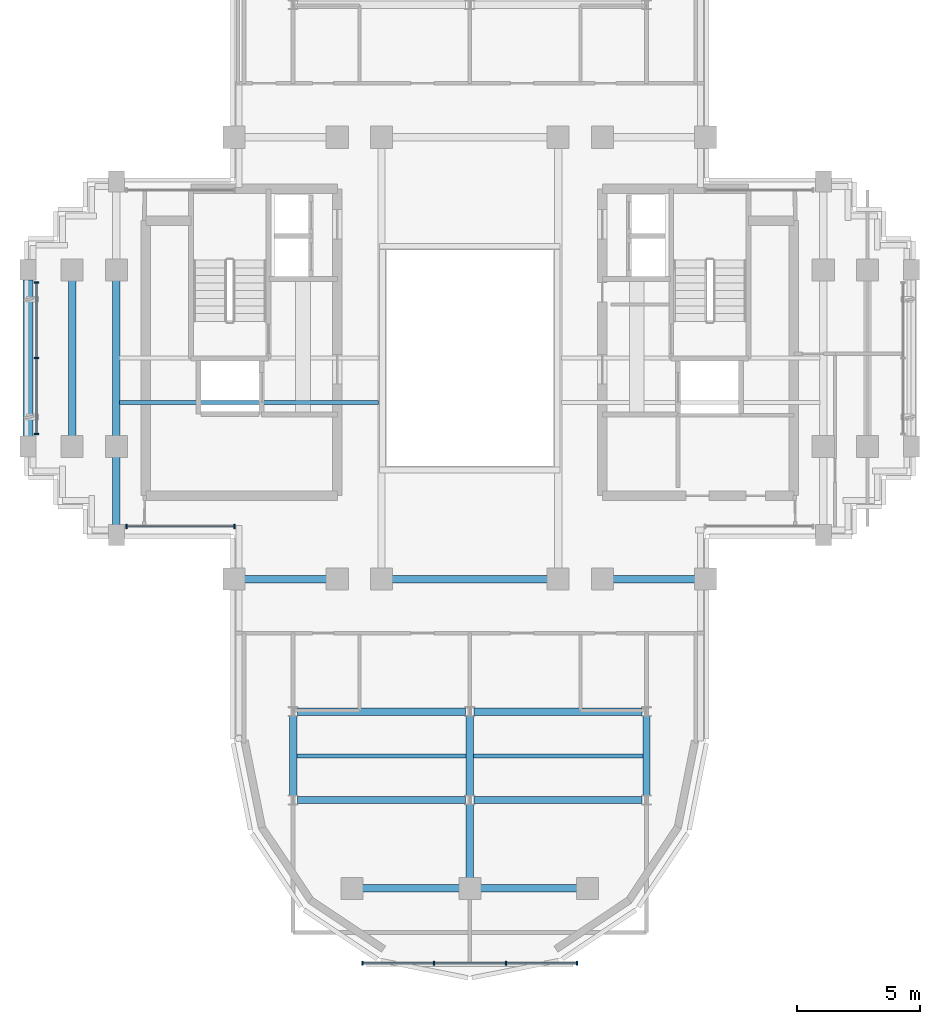
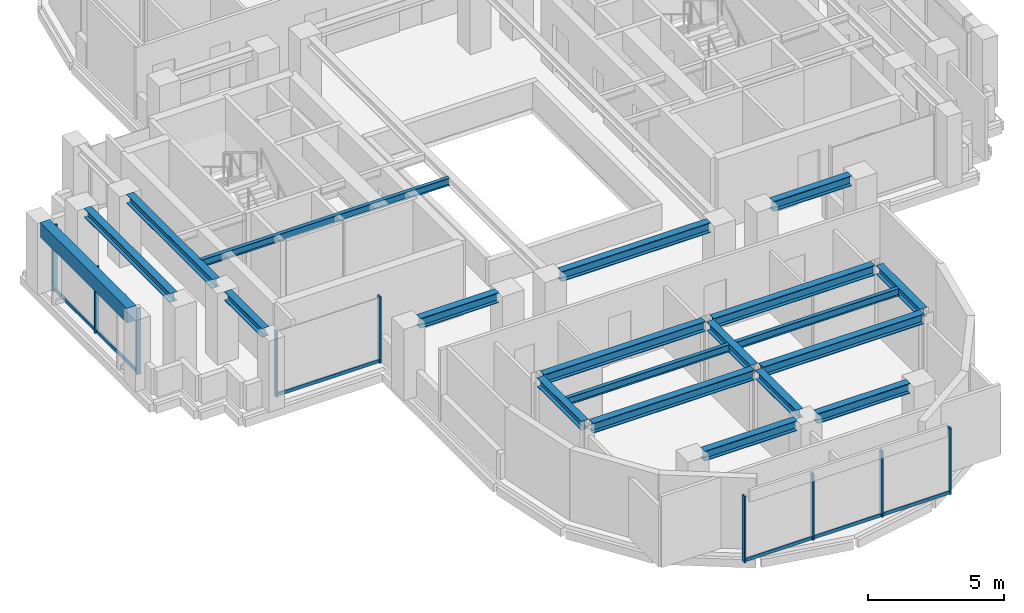
# One storey, part 2 of 11: 20 beams, 15 members, 3 elements without a shape of their own.
"""IFC4 building model written with IfcOpenShell, lengths in metres."""

from ifc_helpers import new_model, si_unit, direction, frame, origin, origin_2d, place, context, subcontext, project, spatial, rectangle, i_section, extrude, source, transform, mapped, material, material_profile, profile_set, type_object, element, aggregate, save


model = new_model("IFC4")

# Units and contexts
model_context = context("Model", 3, precision=1e-05, world=origin(), true_north=direction((0.0, 1.0)))
body_context = subcontext(model_context, "Body", "Model", "MODEL_VIEW")
ifc_project = project(units=[si_unit("LENGTHUNIT", "METRE"), si_unit("AREAUNIT", "SQUARE_METRE"), si_unit("VOLUMEUNIT", "CUBIC_METRE"), si_unit("PLANEANGLEUNIT", "RADIAN"), si_unit("MASSUNIT", "GRAM", prefix="KILO")], contexts=[model_context])

# Site, building, storey
site_placement = place(None, origin())
site = spatial("IfcSite", under=ifc_project, at=site_placement, CompositionType="ELEMENT")
building_placement = place(site_placement, origin())
building = spatial("IfcBuilding", under=site, at=building_placement, Name="Keilestroom Media Tower", CompositionType="ELEMENT")
storey_placement = place(building_placement, frame((0.0, 0.0, 197.800048828125)))
storey = spatial("IfcBuildingStorey", under=building, at=storey_placement, Name="L54", CompositionType="ELEMENT", Elevation=197.800048828125)

# Beams
ifc_material_1 = material(Name="Steel S355", Category="steel")
ifc_material_profile_1 = material_profile(ifc_material_1, i_section(OverallWidth=0.300048828125, OverallDepth=0.449951171875, WebThickness=0.011962890625, FlangeThickness=0.02587890625, at=origin_2d()), Name="HEB 450")
ifc_profile_set_1 = profile_set([ifc_material_profile_1], Name="Steel S355")
beam_type_1 = type_object("IfcBeamType", Name="Primary-Structural-Girder-HEB-450", PredefinedType="BEAM", material=ifc_profile_set_1)
shared_shape_1 = source(origin(), body_context, "Body", "SweptSolid", [
    extrude(i_section(OverallWidth=0.300048828125, OverallDepth=0.449951171875, WebThickness=0.011962890625, FlangeThickness=0.02587890625, at=origin_2d()), origin(), (0.0, 0.0, 1.0), 3.940185546875),
])
for number, where, z_axis, x_axis, name in (
    (1, (-4.3701171875, -21.60009765625, 2.974853515625), (1.0, 0.0, 0.0), (0.0, 1.0, 0.0), "L54 Beam BG-7 BM-L54-EW-001"),
    (2, (0.429931640625, -21.60009765625, 2.974853515625), (1.0, 0.0, 0.0), (0.0, 1.0, 0.0), "L54 Beam BG-7 BM-L54-EW-002"),
):
    element("IfcBeam", number, at=place(storey_placement, frame(where, z_axis=z_axis, x_axis=x_axis)), inside=storey, type_object=beam_type_1, Name=name, PredefinedType="BEAM", context=body_context, shape_type="MappedRepresentation", body=[
        mapped(shared_shape_1, transform((0.0, 0.0, 0.0), x_axis=(1.0, 0.0, 0.0), y_axis=(0.0, 1.0, 0.0), z_axis=(0.0, 0.0, 1.0), scale=1.0)),
    ])
shared_shape_2 = source(origin(), body_context, "Body", "SweptSolid", [
    extrude(i_section(OverallWidth=0.300048828125, OverallDepth=0.449951171875, WebThickness=0.011962890625, FlangeThickness=0.02587890625, at=origin_2d()), origin(), (0.0, 0.0, 1.0), 6.842041015625),
])
for number, where, z_axis, x_axis, name in (
    (3, (-7.02099609375, -18.0, 2.974853515625), (1.0, 0.0, 0.0), (0.0, 1.0, 0.0), "L54 Beam BG-7 BM-L54-EW-003"),
    (4, (0.178955078125, -18.0, 2.974853515625), (1.0, 0.0, 0.0), (0.0, 1.0, 0.0), "L54 Beam BG-7 BM-L54-EW-004"),
    (5, (-7.02099609375, -14.39990234375, 2.974853515625), (1.0, 0.0, 0.0), (0.0, 1.0, 0.0), "L54 Beam BG-7 BM-L54-EW-005"),
    (6, (0.178955078125, -14.39990234375, 2.974853515625), (1.0, 0.0, 0.0), (0.0, 1.0, 0.0), "L54 Beam BG-7 BM-L54-EW-006"),
):
    element("IfcBeam", number, at=place(storey_placement, frame(where, z_axis=z_axis, x_axis=x_axis)), inside=storey, type_object=beam_type_1, Name=name, PredefinedType="BEAM", context=body_context, shape_type="MappedRepresentation", body=[
        mapped(shared_shape_2, transform((0.0, 0.0, 0.0), x_axis=(1.0, 0.0, 0.0), y_axis=(0.0, 1.0, 0.0), z_axis=(0.0, 0.0, 1.0), scale=1.0)),
    ])
shared_shape_3 = source(origin(), body_context, "Body", "SweptSolid", [
    extrude(i_section(OverallWidth=0.300048828125, OverallDepth=0.449951171875, WebThickness=0.011962890625, FlangeThickness=0.02587890625, at=origin_2d()), origin(), (0.0, 0.0, 1.0), 3.33984375),
])
for number, where, z_axis, x_axis, name in (
    (7, (-9.169921875, -9.0, 2.974853515625), (1.0, 0.0, 0.0), (0.0, 1.0, 0.0), "L54 Beam BG-7 BM-L54-EW-007"),
    (8, (5.830078125, -9.0, 2.974853515625), (1.0, 0.0, 0.0), (0.0, 1.0, 0.0), "L54 Beam BG-7 BM-L54-EW-011"),
):
    element("IfcBeam", number, at=place(storey_placement, frame(where, z_axis=z_axis, x_axis=x_axis)), inside=storey, type_object=beam_type_1, Name=name, PredefinedType="BEAM", context=body_context, shape_type="MappedRepresentation", body=[
        mapped(shared_shape_3, transform((0.0, 0.0, 0.0), x_axis=(1.0, 0.0, 0.0), y_axis=(0.0, 1.0, 0.0), z_axis=(0.0, 0.0, 1.0), scale=1.0)),
    ])
shared_shape_4 = source(origin(), body_context, "Body", "SweptSolid", [
    extrude(i_section(OverallWidth=0.300048828125, OverallDepth=0.449951171875, WebThickness=0.011962890625, FlangeThickness=0.02587890625, at=origin_2d()), origin(), (0.0, 0.0, 1.0), 6.33984375),
])
beam_1_placement = place(storey_placement, frame((-3.169921875, -9.0, 2.974853515625), z_axis=(1.0, 0.0, 0.0), x_axis=(0.0, 1.0, 0.0)))
element("IfcBeam", 9, at=beam_1_placement, inside=storey, type_object=beam_type_1, Name="L54 Beam BG-7 BM-L54-EW-009", PredefinedType="BEAM", context=body_context, shape_type="MappedRepresentation", body=[
    mapped(shared_shape_4, transform((0.0, 0.0, 0.0), x_axis=(1.0, 0.0, 0.0), y_axis=(0.0, 1.0, 0.0), z_axis=(0.0, 0.0, 1.0), scale=1.0)),
])
ifc_material_2 = material(Name="Precast concrete C40/50", Category="concrete")
ifc_material_profile_2 = material_profile(ifc_material_2, rectangle(XDim=0.39990234375, YDim=0.64990234375, at=origin_2d()), Name="PC 400x650")
ifc_profile_set_2 = profile_set([ifc_material_profile_2], Name="Precast concrete C40/50")
beam_type_2 = type_object("IfcBeamType", Name="Perimeter-Spandrel-Beam-PC-400x650", PredefinedType="SPANDREL", material=ifc_profile_set_2)
shared_shape_5 = source(origin(), body_context, "Body", "SweptSolid", [
    extrude(rectangle(XDim=0.39990234375, YDim=0.64990234375, at=origin_2d()), origin(), (0.0, 0.0, 1.0), 6.39013671875),
])
beam_2_placement = place(storey_placement, frame((-18.0, -3.195068359375, 2.875), z_axis=(0.0, 1.0, 0.0), x_axis=(-1.0, 0.0, 0.0)))
element("IfcBeam", 10, at=beam_2_placement, inside=storey, type_object=beam_type_2, Name="L54 Beam SPB-2 BM-L54-NS-031", PredefinedType="SPANDREL", context=body_context, shape_type="MappedRepresentation", body=[
    mapped(shared_shape_5, transform((0.0, 0.0, 0.0), x_axis=(1.0, 0.0, 0.0), y_axis=(0.0, 1.0, 0.0), z_axis=(0.0, 0.0, 1.0), scale=1.0)),
])
ifc_material_profile_3 = material_profile(ifc_material_1, i_section(OverallWidth=0.300048828125, OverallDepth=0.39990234375, WebThickness=0.011474609375, FlangeThickness=0.02392578125, at=origin_2d()), Name="HEB 400")
ifc_profile_set_3 = profile_set([ifc_material_profile_3], Name="Steel S355")
beam_type_3 = type_object("IfcBeamType", Name="Primary-Structural-Girder-HEB-400", PredefinedType="BEAM", material=ifc_profile_set_3)
shared_shape_6 = source(origin(), body_context, "Body", "SweptSolid", [
    extrude(i_section(OverallWidth=0.300048828125, OverallDepth=0.39990234375, WebThickness=0.011474609375, FlangeThickness=0.02392578125, at=origin_2d()), origin(), (0.0, 0.0, 1.0), 6.33984375),
])
for number, where, z_axis, x_axis, name in (
    (11, (-16.199951171875, -3.169921875, 3.0), (0.0, 1.0, 0.0), (-1.0, 0.0, 0.0), "L54 Beam BG-8 BM-L54-NS-032"),
    (12, (-14.39990234375, -3.169921875, 3.0), (0.0, 1.0, 0.0), (-1.0, 0.0, 0.0), "L54 Beam BG-8 BM-L54-NS-034"),
):
    element("IfcBeam", number, at=place(storey_placement, frame(where, z_axis=z_axis, x_axis=x_axis)), inside=storey, type_object=beam_type_3, Name=name, PredefinedType="BEAM", context=body_context, shape_type="MappedRepresentation", body=[
        mapped(shared_shape_6, transform((0.0, 0.0, 0.0), x_axis=(1.0, 0.0, 0.0), y_axis=(0.0, 1.0, 0.0), z_axis=(0.0, 0.0, 1.0), scale=1.0)),
    ])
shared_shape_7 = source(origin(), body_context, "Body", "SweptSolid", [
    extrude(i_section(OverallWidth=0.300048828125, OverallDepth=0.39990234375, WebThickness=0.011474609375, FlangeThickness=0.02392578125, at=origin_2d()), origin(), (0.0, 0.0, 1.0), 2.764892578125),
])
beam_3_placement = place(storey_placement, frame((-14.39990234375, -6.794921875, 3.0), z_axis=(0.0, 1.0, 0.0), x_axis=(-1.0, 0.0, 0.0)))
element("IfcBeam", 13, at=beam_3_placement, inside=storey, type_object=beam_type_3, Name="L54 Beam BG-8 BM-L54-NS-033", PredefinedType="BEAM", context=body_context, shape_type="MappedRepresentation", body=[
    mapped(shared_shape_7, transform((0.0, 0.0, 0.0), x_axis=(1.0, 0.0, 0.0), y_axis=(0.0, 1.0, 0.0), z_axis=(0.0, 0.0, 1.0), scale=1.0)),
])
shared_shape_8 = source(origin(), body_context, "Body", "SweptSolid", [
    extrude(i_section(OverallWidth=0.300048828125, OverallDepth=0.39990234375, WebThickness=0.011474609375, FlangeThickness=0.02392578125, at=origin_2d()), origin(), (0.0, 0.0, 1.0), 3.2529296875),
])
for number, where, z_axis, x_axis, name in (
    (14, (-7.199951171875, -17.826416015625, 3.0), (0.0, 1.0, 0.0), (-1.0, 0.0, 0.0), "L54 Beam BG-8 BM-L54-NS-037"),
    (15, (0.0, -17.826416015625, 3.0), (0.0, 1.0, 0.0), (-1.0, 0.0, 0.0), "L54 Beam BG-8 BM-L54-NS-042"),
    (16, (7.199951171875, -17.826416015625, 3.0), (0.0, 1.0, 0.0), (-1.0, 0.0, 0.0), "L54 Beam BG-8 BM-L54-NS-047"),
):
    element("IfcBeam", number, at=place(storey_placement, frame(where, z_axis=z_axis, x_axis=x_axis)), inside=storey, type_object=beam_type_3, Name=name, PredefinedType="BEAM", context=body_context, shape_type="MappedRepresentation", body=[
        mapped(shared_shape_8, transform((0.0, 0.0, 0.0), x_axis=(1.0, 0.0, 0.0), y_axis=(0.0, 1.0, 0.0), z_axis=(0.0, 0.0, 1.0), scale=1.0)),
    ])
shared_shape_9 = source(origin(), body_context, "Body", "SweptSolid", [
    extrude(i_section(OverallWidth=0.300048828125, OverallDepth=0.39990234375, WebThickness=0.011474609375, FlangeThickness=0.02392578125, at=origin_2d()), origin(), (0.0, 0.0, 1.0), 2.996337890625),
])
beam_4_placement = place(storey_placement, frame((0.0, -21.169921875, 3.0), z_axis=(0.0, 1.0, 0.0), x_axis=(-1.0, 0.0, 0.0)))
element("IfcBeam", 17, at=beam_4_placement, inside=storey, type_object=beam_type_3, Name="L54 Beam BG-8 BM-L54-NS-041", PredefinedType="BEAM", context=body_context, shape_type="MappedRepresentation", body=[
    mapped(shared_shape_9, transform((0.0, 0.0, 0.0), x_axis=(1.0, 0.0, 0.0), y_axis=(0.0, 1.0, 0.0), z_axis=(0.0, 0.0, 1.0), scale=1.0)),
])
ifc_material_profile_4 = material_profile(ifc_material_1, i_section(OverallWidth=0.159912109375, OverallDepth=0.330078125, WebThickness=0.007568359375, FlangeThickness=0.011474609375, at=origin_2d()), Name="IPE 330")
ifc_profile_set_4 = profile_set([ifc_material_profile_4], Name="Steel S355")
beam_type_4 = type_object("IfcBeamType", Name="Secondary-Floor-Joist-IPE-330", PredefinedType="JOIST", material=ifc_profile_set_4)
shared_shape_10 = source(origin(), body_context, "Body", "SweptSolid", [
    extrude(i_section(OverallWidth=0.159912109375, OverallDepth=0.330078125, WebThickness=0.007568359375, FlangeThickness=0.011474609375, at=origin_2d()), origin(), (0.0, 0.0, 1.0), 6.940185546875),
])
for number, where, z_axis, x_axis, name in (
    (18, (-7.070068359375, -16.199951171875, 3.034912109375), (1.0, 0.0, 0.0), (0.0, 1.0, 0.0), "L54 Beam BJ-6 JST-L54-055"),
    (19, (0.1298828125, -16.199951171875, 3.034912109375), (1.0, 0.0, 0.0), (0.0, 1.0, 0.0), "L54 Beam BJ-6 JST-L54-056"),
):
    element("IfcBeam", number, at=place(storey_placement, frame(where, z_axis=z_axis, x_axis=x_axis)), inside=storey, type_object=beam_type_4, Name=name, PredefinedType="JOIST", context=body_context, shape_type="MappedRepresentation", body=[
        mapped(shared_shape_10, transform((0.0, 0.0, 0.0), x_axis=(1.0, 0.0, 0.0), y_axis=(0.0, 1.0, 0.0), z_axis=(0.0, 0.0, 1.0), scale=1.0)),
    ])
shared_shape_11 = source(origin(), body_context, "Body", "SweptSolid", [
    extrude(i_section(OverallWidth=0.159912109375, OverallDepth=0.330078125, WebThickness=0.007568359375, FlangeThickness=0.011474609375, at=origin_2d()), origin(), (0.0, 0.0, 1.0), 10.5400390625),
])
beam_5_placement = place(storey_placement, frame((-14.27001953125, -1.800048828125, 3.034912109375), z_axis=(1.0, 0.0, 0.0), x_axis=(0.0, 1.0, 0.0)))
element("IfcBeam", 20, at=beam_5_placement, inside=storey, type_object=beam_type_4, Name="L54 Beam BJ-6 JST-L54-057", PredefinedType="JOIST", context=body_context, shape_type="MappedRepresentation", body=[
    mapped(shared_shape_11, transform((0.0, 0.0, 0.0), x_axis=(1.0, 0.0, 0.0), y_axis=(0.0, 1.0, 0.0), z_axis=(0.0, 0.0, 1.0), scale=1.0)),
])

# Curtain wall, members
ifc_material_3 = material(Name="Anodised Aluminium Alloy", Category="aluminium")
curtain_wall_type_1 = type_object("IfcCurtainWallType", Name="Unitised-Curtain-Wall-CW-6", PredefinedType="NOTDEFINED", material=ifc_material_3)
curtain_wall_1_placement = place(storey_placement, origin())
curtain_wall_1 = element("IfcCurtainWall", 21, at=curtain_wall_1_placement, inside=storey, type_object=curtain_wall_type_1, Name="L54 Curtain Wall CW-6 CW-L54-LS-1", PredefinedType="NOTDEFINED")
ifc_material_profile_5 = material_profile(ifc_material_3, rectangle(XDim=0.06494140625, YDim=0.179931640625, at=origin_2d()), Name="ALU MULLION 65x180")
ifc_profile_set_5 = profile_set([ifc_material_profile_5], Name="Anodised Aluminium Alloy")
member_type_1 = type_object("IfcMemberType", Name="Curtain-Wall-Mullion-CW-6", PredefinedType="MULLION", material=ifc_profile_set_5)
shared_shape_12 = source(origin(), body_context, "Body", "SweptSolid", [
    extrude(rectangle(XDim=0.06494140625, YDim=0.179931640625, at=origin_2d()), origin(), (0.0, 0.0, 1.0), 2.97998046875),
])
member_1_placement = place(storey_placement, frame((-4.367431640625, -24.64990234375, 0.0), z_axis=(0.0, 0.0, 1.0), x_axis=(1.0, 0.0, 0.0)))
member_1 = element("IfcMember", 22, at=member_1_placement, type_object=member_type_1, Name="CW-6 Mullion 00", PredefinedType="MULLION", context=body_context, shape_type="MappedRepresentation", body=[
    mapped(shared_shape_12, transform((0.0, 0.0, 0.0), x_axis=(1.0, 0.0, 0.0), y_axis=(0.0, 1.0, 0.0), z_axis=(0.0, 0.0, 1.0), scale=1.0)),
])
member_2_placement = place(storey_placement, frame((-1.466796875, -24.64990234375, 0.0), z_axis=(0.0, 0.0, 1.0), x_axis=(1.0, 0.0, 0.0)))
member_2 = element("IfcMember", 23, at=member_2_placement, type_object=member_type_1, Name="CW-6 Mullion 01", PredefinedType="MULLION", context=body_context, shape_type="MappedRepresentation", body=[
    mapped(shared_shape_12, transform((0.0, 0.0, 0.0), x_axis=(1.0, 0.0, 0.0), y_axis=(0.0, 1.0, 0.0), z_axis=(0.0, 0.0, 1.0), scale=1.0)),
])
member_3_placement = place(storey_placement, frame((1.466796875, -24.64990234375, 0.0), z_axis=(0.0, 0.0, 1.0), x_axis=(1.0, 0.0, 0.0)))
member_3 = element("IfcMember", 24, at=member_3_placement, type_object=member_type_1, Name="CW-6 Mullion 02", PredefinedType="MULLION", context=body_context, shape_type="MappedRepresentation", body=[
    mapped(shared_shape_12, transform((0.0, 0.0, 0.0), x_axis=(1.0, 0.0, 0.0), y_axis=(0.0, 1.0, 0.0), z_axis=(0.0, 0.0, 1.0), scale=1.0)),
])
member_4_placement = place(storey_placement, frame((4.367431640625, -24.64990234375, 0.0), z_axis=(0.0, 0.0, 1.0), x_axis=(1.0, 0.0, 0.0)))
member_4 = element("IfcMember", 25, at=member_4_placement, type_object=member_type_1, Name="CW-6 Mullion 03", PredefinedType="MULLION", context=body_context, shape_type="MappedRepresentation", body=[
    mapped(shared_shape_12, transform((0.0, 0.0, 0.0), x_axis=(1.0, 0.0, 0.0), y_axis=(0.0, 1.0, 0.0), z_axis=(0.0, 0.0, 1.0), scale=1.0)),
])
ifc_material_profile_6 = material_profile(ifc_material_3, rectangle(XDim=0.06494140625, YDim=0.14990234375, at=origin_2d()), Name="ALU TRANSOM 65x150")
ifc_profile_set_6 = profile_set([ifc_material_profile_6], Name="Anodised Aluminium Alloy")
member_type_2 = type_object("IfcMemberType", Name="Curtain-Wall-Transom-CW-6", PredefinedType="USERDEFINED", material=ifc_profile_set_6)
shared_shape_13 = source(origin(), body_context, "Body", "SweptSolid", [
    extrude(rectangle(XDim=0.06494140625, YDim=0.14990234375, at=origin_2d()), origin(), (0.0, 0.0, 1.0), 2.839599609375),
])
member_5_placement = place(storey_placement, frame((-4.3369140625, -24.64990234375, 0.074951171875), z_axis=(1.0, 0.0, 0.0), x_axis=(0.0, 1.0, 0.0)))
member_5 = element("IfcMember", 26, at=member_5_placement, type_object=member_type_2, Name="CW-6 Transom 00.1", ObjectType="TRANSOM", PredefinedType="USERDEFINED", context=body_context, shape_type="MappedRepresentation", body=[
    mapped(shared_shape_13, transform((0.0, 0.0, 0.0), x_axis=(1.0, 0.0, 0.0), y_axis=(0.0, 1.0, 0.0), z_axis=(0.0, 0.0, 1.0), scale=1.0)),
])
member_6_placement = place(storey_placement, frame((1.497314453125, -24.64990234375, 0.074951171875), z_axis=(1.0, 0.0, 0.0), x_axis=(0.0, 1.0, 0.0)))
member_6 = element("IfcMember", 27, at=member_6_placement, type_object=member_type_2, Name="CW-6 Transom 02.1", ObjectType="TRANSOM", PredefinedType="USERDEFINED", context=body_context, shape_type="MappedRepresentation", body=[
    mapped(shared_shape_13, transform((0.0, 0.0, 0.0), x_axis=(1.0, 0.0, 0.0), y_axis=(0.0, 1.0, 0.0), z_axis=(0.0, 0.0, 1.0), scale=1.0)),
])
shared_shape_14 = source(origin(), body_context, "Body", "SweptSolid", [
    extrude(rectangle(XDim=0.06494140625, YDim=0.14990234375, at=origin_2d()), origin(), (0.0, 0.0, 1.0), 2.87255859375),
])
member_7_placement = place(storey_placement, frame((-1.436279296875, -24.64990234375, 0.074951171875), z_axis=(1.0, 0.0, 0.0), x_axis=(0.0, 1.0, 0.0)))
member_7 = element("IfcMember", 28, at=member_7_placement, type_object=member_type_2, Name="CW-6 Transom 01.1", ObjectType="TRANSOM", PredefinedType="USERDEFINED", context=body_context, shape_type="MappedRepresentation", body=[
    mapped(shared_shape_14, transform((0.0, 0.0, 0.0), x_axis=(1.0, 0.0, 0.0), y_axis=(0.0, 1.0, 0.0), z_axis=(0.0, 0.0, 1.0), scale=1.0)),
])
aggregate(curtain_wall_1, [member_1, member_2, member_3, member_4, member_5, member_7, member_6])

curtain_wall_type_2 = type_object("IfcCurtainWallType", Name="Unitised-Curtain-Wall-CW-3", PredefinedType="NOTDEFINED", material=ifc_material_3)
curtain_wall_2_placement = place(storey_placement, origin())
curtain_wall_2 = element("IfcCurtainWall", 29, at=curtain_wall_2_placement, inside=storey, type_object=curtain_wall_type_2, Name="L54 Curtain Wall CW-3 CW-L54-W-1", PredefinedType="NOTDEFINED")
ifc_material_profile_7 = material_profile(ifc_material_3, rectangle(XDim=0.06494140625, YDim=0.179931640625, at=origin_2d()), Name="ALU MULLION 65x180")
ifc_profile_set_7 = profile_set([ifc_material_profile_7], Name="Anodised Aluminium Alloy")
member_type_3 = type_object("IfcMemberType", Name="Curtain-Wall-Mullion-CW-3", PredefinedType="MULLION", material=ifc_profile_set_7)
shared_shape_15 = source(origin(), body_context, "Body", "SweptSolid", [
    extrude(rectangle(XDim=0.06494140625, YDim=0.179931640625, at=origin_2d()), origin(), (0.0, 0.0, 1.0), 2.97998046875),
])
member_8_placement = place(storey_placement, frame((-17.64990234375, -3.08251953125, 0.0), z_axis=(0.0, 0.0, 1.0), x_axis=(0.0, 1.0, 0.0)))
member_8 = element("IfcMember", 30, at=member_8_placement, type_object=member_type_3, Name="CW-3 Mullion 00", PredefinedType="MULLION", context=body_context, shape_type="MappedRepresentation", body=[
    mapped(shared_shape_15, transform((0.0, 0.0, 0.0), x_axis=(1.0, 0.0, 0.0), y_axis=(0.0, 1.0, 0.0), z_axis=(0.0, 0.0, 1.0), scale=1.0)),
])
member_9_placement = place(storey_placement, frame((-17.64990234375, 0.0, 0.0), z_axis=(0.0, 0.0, 1.0), x_axis=(0.0, 1.0, 0.0)))
member_9 = element("IfcMember", 31, at=member_9_placement, type_object=member_type_3, Name="CW-3 Mullion 01", PredefinedType="MULLION", context=body_context, shape_type="MappedRepresentation", body=[
    mapped(shared_shape_15, transform((0.0, 0.0, 0.0), x_axis=(1.0, 0.0, 0.0), y_axis=(0.0, 1.0, 0.0), z_axis=(0.0, 0.0, 1.0), scale=1.0)),
])
member_10_placement = place(storey_placement, frame((-17.64990234375, 3.08251953125, 0.0), z_axis=(0.0, 0.0, 1.0), x_axis=(0.0, 1.0, 0.0)))
member_10 = element("IfcMember", 32, at=member_10_placement, type_object=member_type_3, Name="CW-3 Mullion 02", PredefinedType="MULLION", context=body_context, shape_type="MappedRepresentation", body=[
    mapped(shared_shape_15, transform((0.0, 0.0, 0.0), x_axis=(1.0, 0.0, 0.0), y_axis=(0.0, 1.0, 0.0), z_axis=(0.0, 0.0, 1.0), scale=1.0)),
])

curtain_wall_3_placement = place(storey_placement, origin())
curtain_wall_3 = element("IfcCurtainWall", 33, at=curtain_wall_3_placement, inside=storey, type_object=curtain_wall_type_2, Name="L54 Curtain Wall CW-3 CW-L54-SW-1", PredefinedType="NOTDEFINED")
member_11_placement = place(storey_placement, frame((-13.982421875, -6.85009765625, 0.0), z_axis=(0.0, 0.0, 1.0), x_axis=(1.0, 0.0, 0.0)))
member_11 = element("IfcMember", 34, at=member_11_placement, type_object=member_type_3, Name="CW-3 Mullion 00", PredefinedType="MULLION", context=body_context, shape_type="MappedRepresentation", body=[
    mapped(shared_shape_15, transform((0.0, 0.0, 0.0), x_axis=(1.0, 0.0, 0.0), y_axis=(0.0, 1.0, 0.0), z_axis=(0.0, 0.0, 1.0), scale=1.0)),
])
member_12_placement = place(storey_placement, frame((-9.58251953125, -6.85009765625, 0.0), z_axis=(0.0, 0.0, 1.0), x_axis=(1.0, 0.0, 0.0)))
member_12 = element("IfcMember", 35, at=member_12_placement, type_object=member_type_3, Name="CW-3 Mullion 01", PredefinedType="MULLION", context=body_context, shape_type="MappedRepresentation", body=[
    mapped(shared_shape_15, transform((0.0, 0.0, 0.0), x_axis=(1.0, 0.0, 0.0), y_axis=(0.0, 1.0, 0.0), z_axis=(0.0, 0.0, 1.0), scale=1.0)),
])
ifc_material_profile_8 = material_profile(ifc_material_3, rectangle(XDim=0.06494140625, YDim=0.14990234375, at=origin_2d()), Name="ALU TRANSOM 65x150")
ifc_profile_set_8 = profile_set([ifc_material_profile_8], Name="Anodised Aluminium Alloy")
member_type_4 = type_object("IfcMemberType", Name="Curtain-Wall-Transom-CW-3", PredefinedType="USERDEFINED", material=ifc_profile_set_8)
shared_shape_16 = source(origin(), body_context, "Body", "SweptSolid", [
    extrude(rectangle(XDim=0.06494140625, YDim=0.14990234375, at=origin_2d()), origin(), (0.0, 0.0, 1.0), 4.3388671875),
])
member_13_placement = place(storey_placement, frame((-13.951904296875, -6.85009765625, 0.074951171875), z_axis=(1.0, 0.0, 0.0), x_axis=(0.0, 1.0, 0.0)))
member_13 = element("IfcMember", 36, at=member_13_placement, type_object=member_type_4, Name="CW-3 Transom 00.1", ObjectType="TRANSOM", PredefinedType="USERDEFINED", context=body_context, shape_type="MappedRepresentation", body=[
    mapped(shared_shape_16, transform((0.0, 0.0, 0.0), x_axis=(1.0, 0.0, 0.0), y_axis=(0.0, 1.0, 0.0), z_axis=(0.0, 0.0, 1.0), scale=1.0)),
])
aggregate(curtain_wall_3, [member_11, member_12, member_13])

# Member
shared_shape_17 = source(origin(), body_context, "Body", "SweptSolid", [
    extrude(rectangle(XDim=0.06494140625, YDim=0.14990234375, at=origin_2d()), origin(), (0.0, 0.0, 1.0), 3.021484375),
])
member_14_placement = place(storey_placement, frame((-17.64990234375, -3.052001953125, 0.074951171875), z_axis=(0.0, 1.0, 0.0), x_axis=(-1.0, 0.0, 0.0)))
member_14 = element("IfcMember", 37, at=member_14_placement, type_object=member_type_4, Name="CW-3 Transom 00.1", ObjectType="TRANSOM", PredefinedType="USERDEFINED", context=body_context, shape_type="MappedRepresentation", body=[
    mapped(shared_shape_17, transform((0.0, 0.0, 0.0), x_axis=(1.0, 0.0, 0.0), y_axis=(0.0, 1.0, 0.0), z_axis=(0.0, 0.0, 1.0), scale=1.0)),
])

member_15_placement = place(storey_placement, frame((-17.64990234375, 0.030517578125, 0.074951171875), z_axis=(0.0, 1.0, 0.0), x_axis=(-1.0, 0.0, 0.0)))
member_15 = element("IfcMember", 38, at=member_15_placement, type_object=member_type_4, Name="CW-3 Transom 01.1", ObjectType="TRANSOM", PredefinedType="USERDEFINED", context=body_context, shape_type="MappedRepresentation", body=[
    mapped(shared_shape_17, transform((0.0, 0.0, 0.0), x_axis=(1.0, 0.0, 0.0), y_axis=(0.0, 1.0, 0.0), z_axis=(0.0, 0.0, 1.0), scale=1.0)),
])

aggregate(curtain_wall_2, [member_8, member_9, member_10, member_14, member_15])

save(model, "model.ifc")
